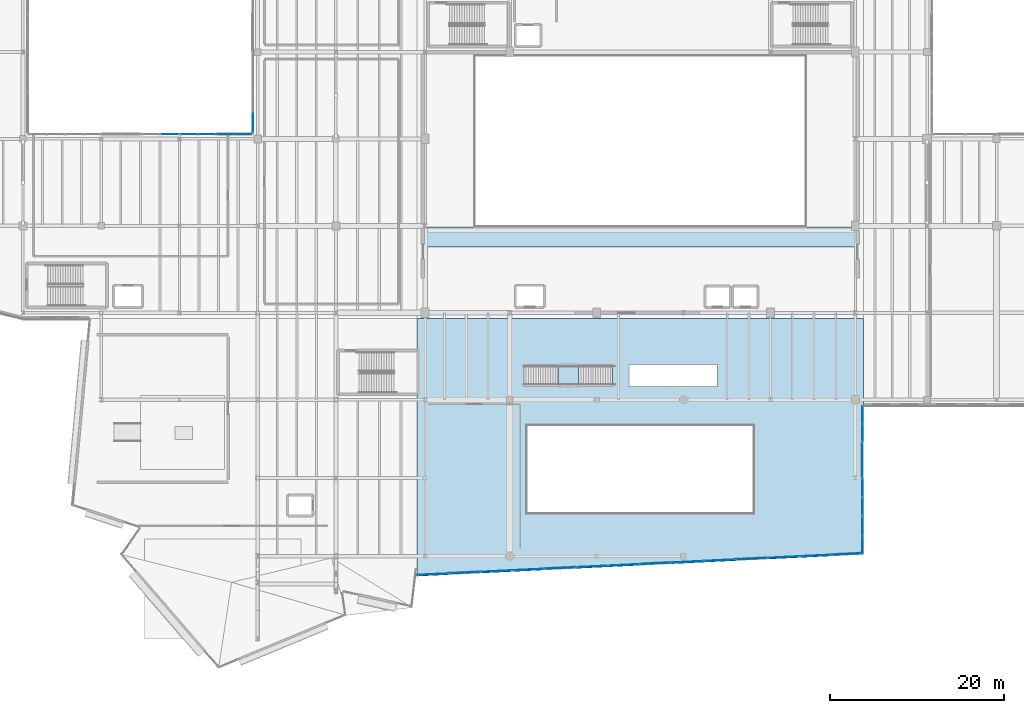
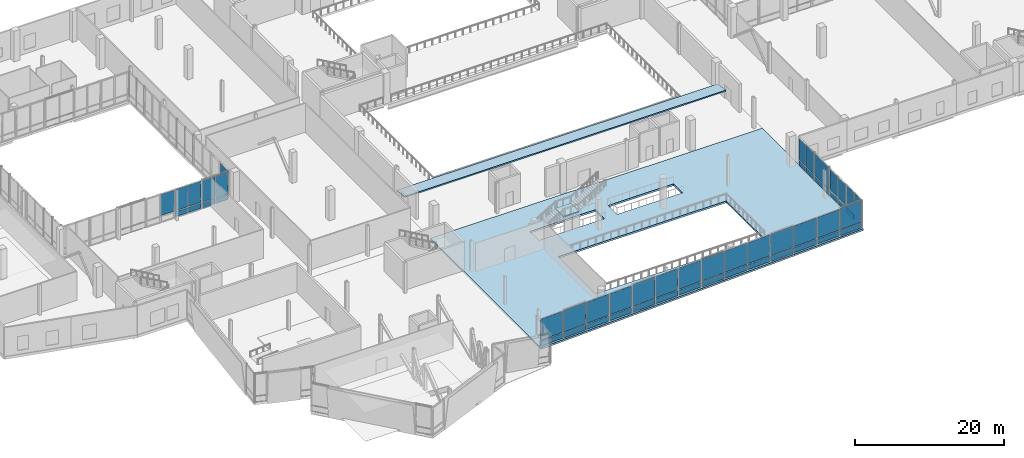
# One storey, part 47 of 73: 53 plates, 3 slabs, 23 elements without a shape of their own.
"""IFC4 building model written with IfcOpenShell, lengths in metres."""

from ifc_helpers import new_model, si_unit, direction, frame, origin, origin_2d, place, context, subcontext, project, spatial, polyline, rectangle, outline, extrude, material, layer, layer_set, type_object, element, aggregate, save


model = new_model("IFC4")

# Units and contexts
model_context = context("Model", 3, precision=1e-05, world=origin(), true_north=direction((0.0, 1.0)))
body_context = subcontext(model_context, "Body", "Model", "MODEL_VIEW")
ifc_project = project(units=[si_unit("LENGTHUNIT", "METRE"), si_unit("AREAUNIT", "SQUARE_METRE"), si_unit("VOLUMEUNIT", "CUBIC_METRE"), si_unit("PLANEANGLEUNIT", "RADIAN"), si_unit("MASSUNIT", "GRAM", prefix="KILO")], contexts=[model_context])

# Site, building, storey
site_placement = place(None, origin())
site = spatial("IfcSite", under=ifc_project, at=site_placement, CompositionType="ELEMENT")
building_placement = place(site_placement, origin())
building = spatial("IfcBuilding", under=site, at=building_placement, Name="Trimount Lyric Opera House", CompositionType="ELEMENT")
storey_placement = place(building_placement, frame((0.0, 0.0, 10.0)))
storey = spatial("IfcBuildingStorey", under=building, at=storey_placement, Name="L02", CompositionType="ELEMENT", Elevation=10.0)

# Curtain wall, plates
ifc_material_1 = material(Name="Thermally Broken Aluminium and Low-E Glass", Category="aluminium")
curtain_wall_type_1 = type_object("IfcCurtainWallType", Name="CW-01", PredefinedType="NOTDEFINED", material=ifc_material_1)
curtain_wall_1_placement = place(storey_placement, origin())
curtain_wall_1 = element("IfcCurtainWall", 1, at=curtain_wall_1_placement, inside=storey, type_object=curtain_wall_type_1, Name="L02 curtain wall 169", PredefinedType="NOTDEFINED")
ifc_material_2 = material(Name="Triple Low-E Acoustic Laminated Glass", Category="glass")
ifc_layer_1 = layer(ifc_material_2, 0.035888671875)
ifc_layer_set_1 = layer_set([ifc_layer_1], Name="CWP-01")
plate_type_1 = type_object("IfcPlateType", Name="CWP-01", PredefinedType="CURTAIN_PANEL", material=ifc_layer_set_1)
plate_1_placement = place(storey_placement, frame((114.5400390625, 42.263671875, 0.13525390625), z_axis=(0.0, 0.0, 1.0), x_axis=(0.0, -1.0, 0.0)))
plate_1 = element("IfcPlate", 2, at=plate_1_placement, type_object=plate_type_1, Name="CW-01 panel 1.1", PredefinedType="CURTAIN_PANEL", context=body_context, shape_type="SweptSolid", body=[
    extrude(rectangle(XDim=1.982421875, YDim=0.035888671875, at=origin_2d()), origin(), (0.0, 0.0, 1.0), 0.847412109375),
])
plate_2_placement = place(storey_placement, frame((114.5400390625, 40.21630859375, 0.13525390625), z_axis=(0.0, 0.0, 1.0), x_axis=(0.0, -1.0, 0.0)))
plate_2 = element("IfcPlate", 3, at=plate_2_placement, type_object=plate_type_1, Name="CW-01 panel 2.1", PredefinedType="CURTAIN_PANEL", context=body_context, shape_type="SweptSolid", body=[
    extrude(rectangle(XDim=1.982421875, YDim=0.035888671875, at=origin_2d()), origin(), (0.0, 0.0, 1.0), 0.847412109375),
])

# Curtain wall, plate
curtain_wall_2_placement = place(storey_placement, origin())
curtain_wall_2 = element("IfcCurtainWall", 4, at=curtain_wall_2_placement, inside=storey, type_object=curtain_wall_type_1, Name="L02 curtain wall 170", PredefinedType="NOTDEFINED")
plate_3_placement = place(storey_placement, frame((114.5400390625, 37.074951171875, 0.114990234375), z_axis=(0.0, 0.0, 1.0), x_axis=(0.0, -1.0, 0.0)))
plate_3 = element("IfcPlate", 5, at=plate_3_placement, type_object=plate_type_1, Name="CW-01 panel 1.1", PredefinedType="CURTAIN_PANEL", context=body_context, shape_type="SweptSolid", body=[
    extrude(rectangle(XDim=3.8701171875, YDim=0.035888671875, at=origin_2d()), origin(), (0.0, 0.0, 1.0), 0.87744140625),
])

# Curtain wall, plates
curtain_wall_3_placement = place(storey_placement, origin())
curtain_wall_3 = element("IfcCurtainWall", 6, at=curtain_wall_3_placement, inside=storey, type_object=curtain_wall_type_1, Name="L02 curtain wall 171", PredefinedType="NOTDEFINED")
plate_4_placement = place(storey_placement, frame((114.5400390625, 33.875, 0.159912109375), z_axis=(0.0, 0.0, 1.0), x_axis=(0.0, -1.0, 0.0)))
plate_4 = element("IfcPlate", 7, at=plate_4_placement, type_object=plate_type_1, Name="CW-01 panel 1.1", PredefinedType="CURTAIN_PANEL", context=body_context, shape_type="SweptSolid", body=[
    extrude(rectangle(XDim=2.090087890625, YDim=0.035888671875, at=origin_2d()), origin(), (0.0, 0.0, 1.0), 0.81005859375),
])
plate_5_placement = place(storey_placement, frame((114.5400390625, 31.715087890625, 0.159912109375), z_axis=(0.0, 0.0, 1.0), x_axis=(0.0, -1.0, 0.0)))
plate_5 = element("IfcPlate", 8, at=plate_5_placement, type_object=plate_type_1, Name="CW-01 panel 2.1", PredefinedType="CURTAIN_PANEL", context=body_context, shape_type="SweptSolid", body=[
    extrude(rectangle(XDim=2.090087890625, YDim=0.035888671875, at=origin_2d()), origin(), (0.0, 0.0, 1.0), 0.81005859375),
])

curtain_wall_4_placement = place(storey_placement, origin())
curtain_wall_4 = element("IfcCurtainWall", 9, at=curtain_wall_4_placement, inside=storey, type_object=curtain_wall_type_1, Name="L02 curtain wall 172", PredefinedType="NOTDEFINED")
plate_6_placement = place(storey_placement, frame((114.5400390625, 29.416259765625, 0.13525390625), z_axis=(0.0, 0.0, 1.0), x_axis=(0.0, -1.0, 0.0)))
plate_6 = element("IfcPlate", 10, at=plate_6_placement, type_object=plate_type_1, Name="CW-01 panel 1.1", PredefinedType="CURTAIN_PANEL", context=body_context, shape_type="SweptSolid", body=[
    extrude(rectangle(XDim=2.0576171875, YDim=0.035888671875, at=origin_2d()), origin(), (0.0, 0.0, 1.0), 0.847412109375),
])
plate_7_placement = place(storey_placement, frame((114.5400390625, 27.293701171875, 0.13525390625), z_axis=(0.0, 0.0, 1.0), x_axis=(0.0, -1.0, 0.0)))
plate_7 = element("IfcPlate", 11, at=plate_7_placement, type_object=plate_type_1, Name="CW-01 panel 2.1", PredefinedType="CURTAIN_PANEL", context=body_context, shape_type="SweptSolid", body=[
    extrude(rectangle(XDim=2.0576171875, YDim=0.035888671875, at=origin_2d()), origin(), (0.0, 0.0, 1.0), 0.847412109375),
])

# Curtain wall, plate
curtain_wall_5_placement = place(storey_placement, origin())
curtain_wall_5 = element("IfcCurtainWall", 12, at=curtain_wall_5_placement, inside=storey, type_object=curtain_wall_type_1, Name="L02 curtain wall 173", PredefinedType="NOTDEFINED")
plate_8_placement = place(storey_placement, frame((112.7275390625, 26.2451171875, 0.114990234375), z_axis=(0.0, 0.0, 1.0), x_axis=(-0.998813039289, -0.048708444302, 0.0)))
plate_8 = element("IfcPlate", 13, at=plate_8_placement, type_object=plate_type_1, Name="CW-01 panel 1.1", PredefinedType="CURTAIN_PANEL", context=body_context, shape_type="SweptSolid", body=[
    extrude(rectangle(XDim=3.3291015625, YDim=0.035888671875, at=origin_2d()), origin(), (0.0, 0.0, 1.0), 0.87744140625),
])

curtain_wall_6_placement = place(storey_placement, origin())
curtain_wall_6 = element("IfcCurtainWall", 14, at=curtain_wall_6_placement, inside=storey, type_object=curtain_wall_type_1, Name="L02 curtain wall 174", PredefinedType="NOTDEFINED")
plate_9_placement = place(storey_placement, frame((109.12548828125, 26.069091796875, 0.159912109375), z_axis=(0.0, 0.0, 1.0), x_axis=(-0.998820287826, -0.04855957812, 0.0)))
plate_9 = element("IfcPlate", 15, at=plate_9_placement, type_object=plate_type_1, Name="CW-01 panel 1.1", PredefinedType="CURTAIN_PANEL", context=body_context, shape_type="SweptSolid", body=[
    extrude(rectangle(XDim=3.443115234375, YDim=0.035888671875, at=origin_2d()), origin(), (0.0, 0.0, 1.0), 0.81005859375),
])

curtain_wall_7_placement = place(storey_placement, origin())
curtain_wall_7 = element("IfcCurtainWall", 16, at=curtain_wall_7_placement, inside=storey, type_object=curtain_wall_type_1, Name="L02 curtain wall 175", PredefinedType="NOTDEFINED")
plate_10_placement = place(storey_placement, frame((105.45654296875, 25.889892578125, 0.13525390625), z_axis=(0.0, 0.0, 1.0), x_axis=(-0.998820287826, -0.04855957812, 0.0)))
plate_10 = element("IfcPlate", 17, at=plate_10_placement, type_object=plate_type_1, Name="CW-01 panel 1.1", PredefinedType="CURTAIN_PANEL", context=body_context, shape_type="SweptSolid", body=[
    extrude(rectangle(XDim=3.453125, YDim=0.035888671875, at=origin_2d()), origin(), (0.0, 0.0, 1.0), 0.847412109375),
])

curtain_wall_8_placement = place(storey_placement, origin())
curtain_wall_8 = element("IfcCurtainWall", 18, at=curtain_wall_8_placement, inside=storey, type_object=curtain_wall_type_1, Name="L02 curtain wall 176", PredefinedType="NOTDEFINED")
plate_11_placement = place(storey_placement, frame((101.7880859375, 25.7109375, 0.114990234375), z_axis=(0.0, 0.0, 1.0), x_axis=(-0.998819629475, -0.048573117817, 0.0)))
plate_11 = element("IfcPlate", 19, at=plate_11_placement, type_object=plate_type_1, Name="CW-01 panel 1.1", PredefinedType="CURTAIN_PANEL", context=body_context, shape_type="SweptSolid", body=[
    extrude(rectangle(XDim=3.462158203125, YDim=0.035888671875, at=origin_2d()), origin(), (0.0, 0.0, 1.0), 0.87744140625),
])

curtain_wall_9_placement = place(storey_placement, origin())
curtain_wall_9 = element("IfcCurtainWall", 20, at=curtain_wall_9_placement, inside=storey, type_object=curtain_wall_type_1, Name="L02 curtain wall 177", PredefinedType="NOTDEFINED")
plate_12_placement = place(storey_placement, frame((98.119384765625, 25.531982421875, 0.159912109375), z_axis=(0.0, 0.0, 1.0), x_axis=(-0.998820287826, -0.04855957812, 0.0)))
plate_12 = element("IfcPlate", 21, at=plate_12_placement, type_object=plate_type_1, Name="CW-01 panel 1.1", PredefinedType="CURTAIN_PANEL", context=body_context, shape_type="SweptSolid", body=[
    extrude(rectangle(XDim=3.443115234375, YDim=0.035888671875, at=origin_2d()), origin(), (0.0, 0.0, 1.0), 0.81005859375),
])

curtain_wall_10_placement = place(storey_placement, origin())
curtain_wall_10 = element("IfcCurtainWall", 22, at=curtain_wall_10_placement, inside=storey, type_object=curtain_wall_type_1, Name="L02 curtain wall 178", PredefinedType="NOTDEFINED")
plate_13_placement = place(storey_placement, frame((94.450927734375, 25.35302734375, 0.13525390625), z_axis=(0.0, 0.0, 1.0), x_axis=(-0.998819629475, -0.048573117817, 0.0)))
plate_13 = element("IfcPlate", 23, at=plate_13_placement, type_object=plate_type_1, Name="CW-01 panel 1.1", PredefinedType="CURTAIN_PANEL", context=body_context, shape_type="SweptSolid", body=[
    extrude(rectangle(XDim=3.4521484375, YDim=0.035888671875, at=origin_2d()), origin(), (0.0, 0.0, 1.0), 0.847412109375),
])

curtain_wall_11_placement = place(storey_placement, origin())
curtain_wall_11 = element("IfcCurtainWall", 24, at=curtain_wall_11_placement, inside=storey, type_object=curtain_wall_type_1, Name="L02 curtain wall 179", PredefinedType="NOTDEFINED")
plate_14_placement = place(storey_placement, frame((90.782470703125, 25.174072265625, 0.114990234375), z_axis=(0.0, 0.0, 1.0), x_axis=(-0.998820287826, -0.04855957812, 0.0)))
plate_14 = element("IfcPlate", 25, at=plate_14_placement, type_object=plate_type_1, Name="CW-01 panel 1.1", PredefinedType="CURTAIN_PANEL", context=body_context, shape_type="SweptSolid", body=[
    extrude(rectangle(XDim=3.463134765625, YDim=0.035888671875, at=origin_2d()), origin(), (0.0, 0.0, 1.0), 0.87744140625),
])

curtain_wall_12_placement = place(storey_placement, origin())
curtain_wall_12 = element("IfcCurtainWall", 26, at=curtain_wall_12_placement, inside=storey, type_object=curtain_wall_type_1, Name="L02 curtain wall 180", PredefinedType="NOTDEFINED")
plate_15_placement = place(storey_placement, frame((87.114013671875, 24.9951171875, 0.159912109375), z_axis=(0.0, 0.0, 1.0), x_axis=(-0.998819629475, -0.048573117817, 0.0)))
plate_15 = element("IfcPlate", 27, at=plate_15_placement, type_object=plate_type_1, Name="CW-01 panel 1.1", PredefinedType="CURTAIN_PANEL", context=body_context, shape_type="SweptSolid", body=[
    extrude(rectangle(XDim=3.442138671875, YDim=0.035888671875, at=origin_2d()), origin(), (0.0, 0.0, 1.0), 0.81005859375),
])

curtain_wall_13_placement = place(storey_placement, origin())
curtain_wall_13 = element("IfcCurtainWall", 28, at=curtain_wall_13_placement, inside=storey, type_object=curtain_wall_type_1, Name="L02 curtain wall 181", PredefinedType="NOTDEFINED")
plate_16_placement = place(storey_placement, frame((83.445556640625, 24.81591796875, 0.13525390625), z_axis=(0.0, 0.0, 1.0), x_axis=(-0.998820287826, -0.04855957812, 0.0)))
plate_16 = element("IfcPlate", 29, at=plate_16_placement, type_object=plate_type_1, Name="CW-01 panel 1.1", PredefinedType="CURTAIN_PANEL", context=body_context, shape_type="SweptSolid", body=[
    extrude(rectangle(XDim=3.453125, YDim=0.035888671875, at=origin_2d()), origin(), (0.0, 0.0, 1.0), 0.847412109375),
])

curtain_wall_14_placement = place(storey_placement, origin())
curtain_wall_14 = element("IfcCurtainWall", 30, at=curtain_wall_14_placement, inside=storey, type_object=curtain_wall_type_1, Name="L02 curtain wall 182", PredefinedType="NOTDEFINED")
plate_17_placement = place(storey_placement, frame((79.776611328125, 24.636962890625, 0.114990234375), z_axis=(0.0, 0.0, 1.0), x_axis=(-0.998820287826, -0.04855957812, 0.0)))
plate_17 = element("IfcPlate", 31, at=plate_17_placement, type_object=plate_type_1, Name="CW-01 panel 1.1", PredefinedType="CURTAIN_PANEL", context=body_context, shape_type="SweptSolid", body=[
    extrude(rectangle(XDim=3.463134765625, YDim=0.035888671875, at=origin_2d()), origin(), (0.0, 0.0, 1.0), 0.87744140625),
])

curtain_wall_15_placement = place(storey_placement, origin())
curtain_wall_15 = element("IfcCurtainWall", 32, at=curtain_wall_15_placement, inside=storey, type_object=curtain_wall_type_1, Name="L02 curtain wall 183", PredefinedType="NOTDEFINED")
plate_18_placement = place(storey_placement, frame((76.10791015625, 24.4580078125, 0.159912109375), z_axis=(0.0, 0.0, 1.0), x_axis=(-0.998819629475, -0.048573117817, 0.0)))
plate_18 = element("IfcPlate", 33, at=plate_18_placement, type_object=plate_type_1, Name="CW-01 panel 1.1", PredefinedType="CURTAIN_PANEL", context=body_context, shape_type="SweptSolid", body=[
    extrude(rectangle(XDim=3.442138671875, YDim=0.035888671875, at=origin_2d()), origin(), (0.0, 0.0, 1.0), 0.81005859375),
])

curtain_wall_16_placement = place(storey_placement, origin())
curtain_wall_16 = element("IfcCurtainWall", 34, at=curtain_wall_16_placement, inside=storey, type_object=curtain_wall_type_1, Name="L02 curtain wall 184", PredefinedType="NOTDEFINED")
plate_19_placement = place(storey_placement, frame((72.439453125, 24.279052734375, 0.13525390625), z_axis=(0.0, 0.0, 1.0), x_axis=(-0.998820287826, -0.04855957812, 0.0)))
plate_19 = element("IfcPlate", 35, at=plate_19_placement, type_object=plate_type_1, Name="CW-01 panel 1.1", PredefinedType="CURTAIN_PANEL", context=body_context, shape_type="SweptSolid", body=[
    extrude(rectangle(XDim=3.453125, YDim=0.035888671875, at=origin_2d()), origin(), (0.0, 0.0, 1.0), 0.847412109375),
])

curtain_wall_17_placement = place(storey_placement, origin())
curtain_wall_17 = element("IfcCurtainWall", 36, at=curtain_wall_17_placement, inside=storey, type_object=curtain_wall_type_1, Name="L02 curtain wall 185", PredefinedType="NOTDEFINED")
plate_20_placement = place(storey_placement, frame((68.77099609375, 24.10009765625, 0.114990234375), z_axis=(0.0, 0.0, 1.0), x_axis=(-0.998819629475, -0.048573117817, 0.0)))
plate_20 = element("IfcPlate", 37, at=plate_20_placement, type_object=plate_type_1, Name="CW-01 panel 1.1", PredefinedType="CURTAIN_PANEL", context=body_context, shape_type="SweptSolid", body=[
    extrude(rectangle(XDim=3.462158203125, YDim=0.035888671875, at=origin_2d()), origin(), (0.0, 0.0, 1.0), 0.87744140625),
])

curtain_wall_18_placement = place(storey_placement, origin())
curtain_wall_18 = element("IfcCurtainWall", 38, at=curtain_wall_18_placement, inside=storey, type_object=curtain_wall_type_1, Name="L02 curtain wall 186", PredefinedType="NOTDEFINED")
plate_21_placement = place(storey_placement, frame((65.1025390625, 23.9208984375, 0.159912109375), z_axis=(0.0, 0.0, 1.0), x_axis=(-0.998820287826, -0.04855957812, 0.0)))
plate_21 = element("IfcPlate", 39, at=plate_21_placement, type_object=plate_type_1, Name="CW-01 panel 1.1", PredefinedType="CURTAIN_PANEL", context=body_context, shape_type="SweptSolid", body=[
    extrude(rectangle(XDim=3.443115234375, YDim=0.035888671875, at=origin_2d()), origin(), (0.0, 0.0, 1.0), 0.81005859375),
])

# Curtain wall, plates
ifc_material_3 = material(Name="Thermally Broken Aluminium and Low-E Glass", Category="aluminium")
curtain_wall_type_2 = type_object("IfcCurtainWallType", Name="CW-03", PredefinedType="NOTDEFINED", material=ifc_material_3)
curtain_wall_19_placement = place(storey_placement, origin())
curtain_wall_19 = element("IfcCurtainWall", 40, at=curtain_wall_19_placement, inside=storey, type_object=curtain_wall_type_2, Name="L02 curtain wall 202", PredefinedType="NOTDEFINED")
plate_22_placement = place(storey_placement, frame((37.123779296875, 74.5400390625, 0.13525390625), z_axis=(0.0, 0.0, 1.0), x_axis=(1.0, 0.0, 0.0)))
plate_22 = element("IfcPlate", 41, at=plate_22_placement, type_object=plate_type_1, Name="CW-03 panel 1.1", PredefinedType="CURTAIN_PANEL", context=body_context, shape_type="SweptSolid", body=[
    extrude(rectangle(XDim=1.9375, YDim=0.035888671875, at=origin_2d()), origin(), (0.0, 0.0, 1.0), 0.847412109375),
])
plate_23_placement = place(storey_placement, frame((39.126220703125, 74.5400390625, 0.13525390625), z_axis=(0.0, 0.0, 1.0), x_axis=(1.0, 0.0, 0.0)))
plate_23 = element("IfcPlate", 42, at=plate_23_placement, type_object=plate_type_1, Name="CW-03 panel 2.1", PredefinedType="CURTAIN_PANEL", context=body_context, shape_type="SweptSolid", body=[
    extrude(rectangle(XDim=1.9375, YDim=0.035888671875, at=origin_2d()), origin(), (0.0, 0.0, 1.0), 0.847412109375),
])

curtain_wall_20_placement = place(storey_placement, origin())
curtain_wall_20 = element("IfcCurtainWall", 43, at=curtain_wall_20_placement, inside=storey, type_object=curtain_wall_type_2, Name="L02 curtain wall 203", PredefinedType="NOTDEFINED")
plate_24_placement = place(storey_placement, frame((41.282470703125, 74.5400390625, 0.114990234375), z_axis=(0.0, 0.0, 1.0), x_axis=(1.0, 0.0, 0.0)))
plate_24 = element("IfcPlate", 44, at=plate_24_placement, type_object=plate_type_1, Name="CW-03 panel 1.1", PredefinedType="CURTAIN_PANEL", context=body_context, shape_type="SweptSolid", body=[
    extrude(rectangle(XDim=1.945068359375, YDim=0.035888671875, at=origin_2d()), origin(), (0.0, 0.0, 1.0), 0.87744140625),
])
plate_25_placement = place(storey_placement, frame((43.28759765625, 74.5400390625, 0.114990234375), z_axis=(0.0, 0.0, 1.0), x_axis=(1.0, 0.0, 0.0)))
plate_25 = element("IfcPlate", 45, at=plate_25_placement, type_object=plate_type_1, Name="CW-03 panel 2.1", PredefinedType="CURTAIN_PANEL", context=body_context, shape_type="SweptSolid", body=[
    extrude(rectangle(XDim=1.945068359375, YDim=0.035888671875, at=origin_2d()), origin(), (0.0, 0.0, 1.0), 0.87744140625),
])

# Curtain wall, plate
curtain_wall_21_placement = place(storey_placement, origin())
curtain_wall_21 = element("IfcCurtainWall", 46, at=curtain_wall_21_placement, inside=storey, type_object=curtain_wall_type_2, Name="L02 curtain wall 204", PredefinedType="NOTDEFINED")
plate_26_placement = place(storey_placement, frame((44.4599609375, 75.862548828125, 0.159912109375), z_axis=(0.0, 0.0, 1.0), x_axis=(0.0, 1.0, 0.0)))
plate_26 = element("IfcPlate", 47, at=plate_26_placement, type_object=plate_type_1, Name="CW-03 panel 1.1", PredefinedType="CURTAIN_PANEL", context=body_context, shape_type="SweptSolid", body=[
    extrude(rectangle(XDim=2.22509765625, YDim=0.035888671875, at=origin_2d()), origin(), (0.0, 0.0, 1.0), 0.81005859375),
])

# Plate
ifc_material_4 = material(Name="Insulated Aluminium Shadow-Box Spandrel Panel", Category="aluminium")
ifc_layer_2 = layer(ifc_material_4, 0.0419921875)
ifc_layer_set_2 = layer_set([ifc_layer_2], Name="CWP-04")
plate_type_2 = type_object("IfcPlateType", Name="CWP-04", PredefinedType="CURTAIN_PANEL", material=ifc_layer_set_2)
plate_27_placement = place(storey_placement, frame((114.5400390625, 42.263671875, 1.11767578125), z_axis=(0.0, 0.0, 1.0), x_axis=(0.0, -1.0, 0.0)))
plate_27 = element("IfcPlate", 48, at=plate_27_placement, type_object=plate_type_2, Name="CW-01 panel 1.2", PredefinedType="CURTAIN_PANEL", context=body_context, shape_type="SweptSolid", body=[
    extrude(rectangle(XDim=1.982421875, YDim=0.035888671875, at=origin_2d()), origin(), (0.0, 0.0, 1.0), 3.467529296875),
])

plate_28_placement = place(storey_placement, frame((114.5400390625, 40.21630859375, 1.11767578125), z_axis=(0.0, 0.0, 1.0), x_axis=(0.0, -1.0, 0.0)))
plate_28 = element("IfcPlate", 49, at=plate_28_placement, type_object=plate_type_2, Name="CW-01 panel 2.2", PredefinedType="CURTAIN_PANEL", context=body_context, shape_type="SweptSolid", body=[
    extrude(rectangle(XDim=1.982421875, YDim=0.035888671875, at=origin_2d()), origin(), (0.0, 0.0, 1.0), 3.467529296875),
])

aggregate(curtain_wall_1, [plate_1, plate_27, plate_2, plate_28])

plate_29_placement = place(storey_placement, frame((114.5400390625, 37.074951171875, 1.107421875), z_axis=(0.0, 0.0, 1.0), x_axis=(0.0, -1.0, 0.0)))
plate_29 = element("IfcPlate", 50, at=plate_29_placement, type_object=plate_type_2, Name="CW-01 panel 1.2", PredefinedType="CURTAIN_PANEL", context=body_context, shape_type="SweptSolid", body=[
    extrude(rectangle(XDim=3.8701171875, YDim=0.035888671875, at=origin_2d()), origin(), (0.0, 0.0, 1.0), 3.49755859375),
])

aggregate(curtain_wall_2, [plate_3, plate_29])

plate_30_placement = place(storey_placement, frame((114.5400390625, 33.875, 1.1298828125), z_axis=(0.0, 0.0, 1.0), x_axis=(0.0, -1.0, 0.0)))
plate_30 = element("IfcPlate", 51, at=plate_30_placement, type_object=plate_type_2, Name="CW-01 panel 1.2", PredefinedType="CURTAIN_PANEL", context=body_context, shape_type="SweptSolid", body=[
    extrude(rectangle(XDim=2.090087890625, YDim=0.035888671875, at=origin_2d()), origin(), (0.0, 0.0, 1.0), 3.429931640625),
])

plate_31_placement = place(storey_placement, frame((114.5400390625, 31.715087890625, 1.1298828125), z_axis=(0.0, 0.0, 1.0), x_axis=(0.0, -1.0, 0.0)))
plate_31 = element("IfcPlate", 52, at=plate_31_placement, type_object=plate_type_2, Name="CW-01 panel 2.2", PredefinedType="CURTAIN_PANEL", context=body_context, shape_type="SweptSolid", body=[
    extrude(rectangle(XDim=2.090087890625, YDim=0.035888671875, at=origin_2d()), origin(), (0.0, 0.0, 1.0), 3.429931640625),
])

aggregate(curtain_wall_3, [plate_4, plate_30, plate_5, plate_31])

plate_32_placement = place(storey_placement, frame((114.5400390625, 29.416259765625, 1.11767578125), z_axis=(0.0, 0.0, 1.0), x_axis=(0.0, -1.0, 0.0)))
plate_32 = element("IfcPlate", 53, at=plate_32_placement, type_object=plate_type_2, Name="CW-01 panel 1.2", PredefinedType="CURTAIN_PANEL", context=body_context, shape_type="SweptSolid", body=[
    extrude(rectangle(XDim=2.0576171875, YDim=0.035888671875, at=origin_2d()), origin(), (0.0, 0.0, 1.0), 3.467529296875),
])

plate_33_placement = place(storey_placement, frame((114.5400390625, 27.293701171875, 1.11767578125), z_axis=(0.0, 0.0, 1.0), x_axis=(0.0, -1.0, 0.0)))
plate_33 = element("IfcPlate", 54, at=plate_33_placement, type_object=plate_type_2, Name="CW-01 panel 2.2", PredefinedType="CURTAIN_PANEL", context=body_context, shape_type="SweptSolid", body=[
    extrude(rectangle(XDim=2.0576171875, YDim=0.035888671875, at=origin_2d()), origin(), (0.0, 0.0, 1.0), 3.467529296875),
])

aggregate(curtain_wall_4, [plate_6, plate_32, plate_7, plate_33])

plate_34_placement = place(storey_placement, frame((112.7275390625, 26.2451171875, 1.107421875), z_axis=(0.0, 0.0, 1.0), x_axis=(-0.998813039289, -0.048708444302, 0.0)))
plate_34 = element("IfcPlate", 55, at=plate_34_placement, type_object=plate_type_2, Name="CW-01 panel 1.2", PredefinedType="CURTAIN_PANEL", context=body_context, shape_type="SweptSolid", body=[
    extrude(rectangle(XDim=3.3291015625, YDim=0.035888671875, at=origin_2d()), origin(), (0.0, 0.0, 1.0), 3.427490234375),
])

aggregate(curtain_wall_5, [plate_8, plate_34])

plate_35_placement = place(storey_placement, frame((109.12548828125, 26.069091796875, 1.1298828125), z_axis=(0.0, 0.0, 1.0), x_axis=(-0.998820287826, -0.04855957812, 0.0)))
plate_35 = element("IfcPlate", 56, at=plate_35_placement, type_object=plate_type_2, Name="CW-01 panel 1.2", PredefinedType="CURTAIN_PANEL", context=body_context, shape_type="SweptSolid", body=[
    extrude(rectangle(XDim=3.443115234375, YDim=0.035888671875, at=origin_2d()), origin(), (0.0, 0.0, 1.0), 3.360107421875),
])

aggregate(curtain_wall_6, [plate_9, plate_35])

plate_36_placement = place(storey_placement, frame((105.45654296875, 25.889892578125, 1.117431640625), z_axis=(0.0, 0.0, 1.0), x_axis=(-0.998820287826, -0.04855957812, 0.0)))
plate_36 = element("IfcPlate", 57, at=plate_36_placement, type_object=plate_type_2, Name="CW-01 panel 1.2", PredefinedType="CURTAIN_PANEL", context=body_context, shape_type="SweptSolid", body=[
    extrude(rectangle(XDim=3.453125, YDim=0.035888671875, at=origin_2d()), origin(), (0.0, 0.0, 1.0), 3.3974609375),
])

aggregate(curtain_wall_7, [plate_10, plate_36])

plate_37_placement = place(storey_placement, frame((101.7880859375, 25.7109375, 1.107421875), z_axis=(0.0, 0.0, 1.0), x_axis=(-0.998819629475, -0.048573117817, 0.0)))
plate_37 = element("IfcPlate", 58, at=plate_37_placement, type_object=plate_type_2, Name="CW-01 panel 1.2", PredefinedType="CURTAIN_PANEL", context=body_context, shape_type="SweptSolid", body=[
    extrude(rectangle(XDim=3.462158203125, YDim=0.035888671875, at=origin_2d()), origin(), (0.0, 0.0, 1.0), 3.427490234375),
])

aggregate(curtain_wall_8, [plate_11, plate_37])

plate_38_placement = place(storey_placement, frame((98.119384765625, 25.531982421875, 1.1298828125), z_axis=(0.0, 0.0, 1.0), x_axis=(-0.998820287826, -0.04855957812, 0.0)))
plate_38 = element("IfcPlate", 59, at=plate_38_placement, type_object=plate_type_2, Name="CW-01 panel 1.2", PredefinedType="CURTAIN_PANEL", context=body_context, shape_type="SweptSolid", body=[
    extrude(rectangle(XDim=3.443115234375, YDim=0.035888671875, at=origin_2d()), origin(), (0.0, 0.0, 1.0), 3.429931640625),
])

aggregate(curtain_wall_9, [plate_12, plate_38])

plate_39_placement = place(storey_placement, frame((94.450927734375, 25.35302734375, 1.11767578125), z_axis=(0.0, 0.0, 1.0), x_axis=(-0.998819629475, -0.048573117817, 0.0)))
plate_39 = element("IfcPlate", 60, at=plate_39_placement, type_object=plate_type_2, Name="CW-01 panel 1.2", PredefinedType="CURTAIN_PANEL", context=body_context, shape_type="SweptSolid", body=[
    extrude(rectangle(XDim=3.4521484375, YDim=0.035888671875, at=origin_2d()), origin(), (0.0, 0.0, 1.0), 3.467529296875),
])

aggregate(curtain_wall_10, [plate_13, plate_39])

plate_40_placement = place(storey_placement, frame((90.782470703125, 25.174072265625, 1.107421875), z_axis=(0.0, 0.0, 1.0), x_axis=(-0.998820287826, -0.04855957812, 0.0)))
plate_40 = element("IfcPlate", 61, at=plate_40_placement, type_object=plate_type_2, Name="CW-01 panel 1.2", PredefinedType="CURTAIN_PANEL", context=body_context, shape_type="SweptSolid", body=[
    extrude(rectangle(XDim=3.463134765625, YDim=0.035888671875, at=origin_2d()), origin(), (0.0, 0.0, 1.0), 3.49755859375),
])

aggregate(curtain_wall_11, [plate_14, plate_40])

plate_41_placement = place(storey_placement, frame((87.114013671875, 24.9951171875, 1.1298828125), z_axis=(0.0, 0.0, 1.0), x_axis=(-0.998819629475, -0.048573117817, 0.0)))
plate_41 = element("IfcPlate", 62, at=plate_41_placement, type_object=plate_type_2, Name="CW-01 panel 1.2", PredefinedType="CURTAIN_PANEL", context=body_context, shape_type="SweptSolid", body=[
    extrude(rectangle(XDim=3.442138671875, YDim=0.035888671875, at=origin_2d()), origin(), (0.0, 0.0, 1.0), 3.429931640625),
])

aggregate(curtain_wall_12, [plate_15, plate_41])

plate_42_placement = place(storey_placement, frame((83.445556640625, 24.81591796875, 1.11767578125), z_axis=(0.0, 0.0, 1.0), x_axis=(-0.998820287826, -0.04855957812, 0.0)))
plate_42 = element("IfcPlate", 63, at=plate_42_placement, type_object=plate_type_2, Name="CW-01 panel 1.2", PredefinedType="CURTAIN_PANEL", context=body_context, shape_type="SweptSolid", body=[
    extrude(rectangle(XDim=3.453125, YDim=0.035888671875, at=origin_2d()), origin(), (0.0, 0.0, 1.0), 3.467529296875),
])

aggregate(curtain_wall_13, [plate_16, plate_42])

plate_43_placement = place(storey_placement, frame((79.776611328125, 24.636962890625, 1.107421875), z_axis=(0.0, 0.0, 1.0), x_axis=(-0.998820287826, -0.04855957812, 0.0)))
plate_43 = element("IfcPlate", 64, at=plate_43_placement, type_object=plate_type_2, Name="CW-01 panel 1.2", PredefinedType="CURTAIN_PANEL", context=body_context, shape_type="SweptSolid", body=[
    extrude(rectangle(XDim=3.463134765625, YDim=0.035888671875, at=origin_2d()), origin(), (0.0, 0.0, 1.0), 3.49755859375),
])

aggregate(curtain_wall_14, [plate_17, plate_43])

plate_44_placement = place(storey_placement, frame((76.10791015625, 24.4580078125, 1.1298828125), z_axis=(0.0, 0.0, 1.0), x_axis=(-0.998819629475, -0.048573117817, 0.0)))
plate_44 = element("IfcPlate", 65, at=plate_44_placement, type_object=plate_type_2, Name="CW-01 panel 1.2", PredefinedType="CURTAIN_PANEL", context=body_context, shape_type="SweptSolid", body=[
    extrude(rectangle(XDim=3.442138671875, YDim=0.035888671875, at=origin_2d()), origin(), (0.0, 0.0, 1.0), 3.429931640625),
])

aggregate(curtain_wall_15, [plate_18, plate_44])

plate_45_placement = place(storey_placement, frame((72.439453125, 24.279052734375, 1.11767578125), z_axis=(0.0, 0.0, 1.0), x_axis=(-0.998820287826, -0.04855957812, 0.0)))
plate_45 = element("IfcPlate", 66, at=plate_45_placement, type_object=plate_type_2, Name="CW-01 panel 1.2", PredefinedType="CURTAIN_PANEL", context=body_context, shape_type="SweptSolid", body=[
    extrude(rectangle(XDim=3.453125, YDim=0.035888671875, at=origin_2d()), origin(), (0.0, 0.0, 1.0), 3.467529296875),
])

aggregate(curtain_wall_16, [plate_19, plate_45])

plate_46_placement = place(storey_placement, frame((68.77099609375, 24.10009765625, 1.107421875), z_axis=(0.0, 0.0, 1.0), x_axis=(-0.998819629475, -0.048573117817, 0.0)))
plate_46 = element("IfcPlate", 67, at=plate_46_placement, type_object=plate_type_2, Name="CW-01 panel 1.2", PredefinedType="CURTAIN_PANEL", context=body_context, shape_type="SweptSolid", body=[
    extrude(rectangle(XDim=3.462158203125, YDim=0.035888671875, at=origin_2d()), origin(), (0.0, 0.0, 1.0), 3.49755859375),
])

aggregate(curtain_wall_17, [plate_20, plate_46])

plate_47_placement = place(storey_placement, frame((65.1025390625, 23.9208984375, 1.1298828125), z_axis=(0.0, 0.0, 1.0), x_axis=(-0.998820287826, -0.04855957812, 0.0)))
plate_47 = element("IfcPlate", 68, at=plate_47_placement, type_object=plate_type_2, Name="CW-01 panel 1.2", PredefinedType="CURTAIN_PANEL", context=body_context, shape_type="SweptSolid", body=[
    extrude(rectangle(XDim=3.443115234375, YDim=0.035888671875, at=origin_2d()), origin(), (0.0, 0.0, 1.0), 3.429931640625),
])

aggregate(curtain_wall_18, [plate_21, plate_47])

# Curtain wall, plate
curtain_wall_22_placement = place(storey_placement, origin())
curtain_wall_22 = element("IfcCurtainWall", 69, at=curtain_wall_22_placement, inside=storey, type_object=curtain_wall_type_2, Name="L02 curtain wall 201", PredefinedType="NOTDEFINED")
plate_48_placement = place(storey_placement, frame((34.8798828125, 74.5400390625, 1.1298828125), z_axis=(0.0, 0.0, 1.0), x_axis=(1.0, 0.0, 0.0)))
plate_48 = element("IfcPlate", 70, at=plate_48_placement, type_object=plate_type_2, Name="CW-03 panel 2.2", PredefinedType="CURTAIN_PANEL", context=body_context, shape_type="SweptSolid", body=[
    extrude(rectangle(XDim=2.10009765625, YDim=0.035888671875, at=origin_2d()), origin(), (0.0, 0.0, 1.0), 3.429931640625),
])
aggregate(curtain_wall_22, [plate_48])

# Plate
plate_49_placement = place(storey_placement, frame((37.123779296875, 74.5400390625, 1.11767578125), z_axis=(0.0, 0.0, 1.0), x_axis=(1.0, 0.0, 0.0)))
plate_49 = element("IfcPlate", 71, at=plate_49_placement, type_object=plate_type_2, Name="CW-03 panel 1.2", PredefinedType="CURTAIN_PANEL", context=body_context, shape_type="SweptSolid", body=[
    extrude(rectangle(XDim=1.9375, YDim=0.035888671875, at=origin_2d()), origin(), (0.0, 0.0, 1.0), 3.467529296875),
])

plate_50_placement = place(storey_placement, frame((39.126220703125, 74.5400390625, 1.11767578125), z_axis=(0.0, 0.0, 1.0), x_axis=(1.0, 0.0, 0.0)))
plate_50 = element("IfcPlate", 72, at=plate_50_placement, type_object=plate_type_2, Name="CW-03 panel 2.2", PredefinedType="CURTAIN_PANEL", context=body_context, shape_type="SweptSolid", body=[
    extrude(rectangle(XDim=1.9375, YDim=0.035888671875, at=origin_2d()), origin(), (0.0, 0.0, 1.0), 3.467529296875),
])

aggregate(curtain_wall_19, [plate_22, plate_49, plate_23, plate_50])

plate_51_placement = place(storey_placement, frame((41.282470703125, 74.5400390625, 1.107421875), z_axis=(0.0, 0.0, 1.0), x_axis=(1.0, 0.0, 0.0)))
plate_51 = element("IfcPlate", 73, at=plate_51_placement, type_object=plate_type_2, Name="CW-03 panel 1.2", PredefinedType="CURTAIN_PANEL", context=body_context, shape_type="SweptSolid", body=[
    extrude(rectangle(XDim=1.945068359375, YDim=0.035888671875, at=origin_2d()), origin(), (0.0, 0.0, 1.0), 3.49755859375),
])

plate_52_placement = place(storey_placement, frame((43.28759765625, 74.5400390625, 1.107421875), z_axis=(0.0, 0.0, 1.0), x_axis=(1.0, 0.0, 0.0)))
plate_52 = element("IfcPlate", 74, at=plate_52_placement, type_object=plate_type_2, Name="CW-03 panel 2.2", PredefinedType="CURTAIN_PANEL", context=body_context, shape_type="SweptSolid", body=[
    extrude(rectangle(XDim=1.945068359375, YDim=0.035888671875, at=origin_2d()), origin(), (0.0, 0.0, 1.0), 3.49755859375),
])

aggregate(curtain_wall_20, [plate_24, plate_51, plate_25, plate_52])

plate_53_placement = place(storey_placement, frame((44.4599609375, 75.862548828125, 1.1298828125), z_axis=(0.0, 0.0, 1.0), x_axis=(0.0, 1.0, 0.0)))
plate_53 = element("IfcPlate", 75, at=plate_53_placement, type_object=plate_type_2, Name="CW-03 panel 1.2", PredefinedType="CURTAIN_PANEL", context=body_context, shape_type="SweptSolid", body=[
    extrude(rectangle(XDim=2.22509765625, YDim=0.035888671875, at=origin_2d()), origin(), (0.0, 0.0, 1.0), 3.429931640625),
])

aggregate(curtain_wall_21, [plate_26, plate_53])

# Slab
ifc_material_5 = material(Name="Concrete C40/50", Category="concrete")
ifc_layer_3 = layer(ifc_material_5, 0.300048828125)
ifc_layer_set_3 = layer_set([ifc_layer_3], Name="SL-FL300")
slab_type_1 = type_object("IfcSlabType", Name="SL-FL300", PredefinedType="FLOOR", material=ifc_layer_set_3)
slab_1_placement = place(storey_placement, frame((0.0, 0.0, -0.300048828125)))
element("IfcSlab", 76, at=slab_1_placement, inside=storey, type_object=slab_type_1, Name="L02 floor slab L02-CONC", PredefinedType="FLOOR", context=body_context, shape_type="SweptSolid", body=[
    extrude(outline(polyline([(114.679931640625, 26.199951171875), (63.320068359375, 23.69384765625), (63.320068359375, 53.320068359375), (114.679931640625, 53.320068359375), (114.679931640625, 26.199951171875)]), holes=[polyline([(76.0, 31.0), (102.0, 31.0), (102.0, 41.0), (76.0, 41.0), (76.0, 31.0)]), polyline([(97.889892578125, 48.0), (87.75, 48.0), (87.75, 45.60009765625), (97.889892578125, 45.60009765625), (97.889892578125, 48.0)]), polyline([(85.7900390625, 48.0), (75.64990234375, 48.0), (75.64990234375, 45.60009765625), (85.7900390625, 45.60009765625), (85.7900390625, 48.0)])]), origin(), (0.0, 0.0, 1.0), 0.300048828125),
])

# Stair, slab
ifc_material_6 = material(Name="Steel ASTM A36", Category="steel")
stair_type = type_object("IfcStairType", Name="STR-FOY-2", PredefinedType="STRAIGHT_RUN_STAIR", material=ifc_material_6)
stair_placement = place(storey_placement, origin())
stair = element("IfcStair", 77, at=stair_placement, inside=storey, type_object=stair_type, Name="Concourse Roof-Garden Gallery Stair", PredefinedType="STRAIGHT_RUN_STAIR")
ifc_material_7 = material(Name="Concrete C40/50", Category="concrete")
ifc_layer_4 = layer(ifc_material_7, 0.199951171875)
ifc_layer_set_4 = layer_set([ifc_layer_4], Name="SL-LND200")
slab_type_2 = type_object("IfcSlabType", Name="SL-LND200", PredefinedType="LANDING", material=ifc_layer_set_4)
slab_2_placement = place(storey_placement, frame((0.0, 0.0, 2.300048828125)))
slab_2 = element("IfcSlab", 78, at=slab_2_placement, type_object=slab_type_2, Name="FS-04 landing 1", PredefinedType="LANDING", context=body_context, shape_type="SweptSolid", body=[
    extrude(outline(polyline([(79.52001953125, 45.699951171875), (81.919921875, 45.699951171875), (81.919921875, 47.89990234375), (79.52001953125, 47.89990234375), (79.52001953125, 45.699951171875)])), origin(), (0.0, 0.0, 1.0), 0.199951171875),
])
aggregate(stair, [slab_2])

# Slab
ifc_material_8 = material(Name="Precast concrete C40/50", Category="concrete")
ifc_layer_5 = layer(ifc_material_8, 0.18505859375)
ifc_layer_set_5 = layer_set([ifc_layer_5], Name="SL-TIER185")
slab_type_3 = type_object("IfcSlabType", Name="SL-TIER185", PredefinedType="USERDEFINED", material=ifc_layer_set_5)
slab_3_placement = place(storey_placement, frame((64.14990234375, 63.85009765625, 1.14990234375), z_axis=(0.0, 0.153748879626, 0.988109954415), x_axis=(1.0, 0.0, 0.0)))
element("IfcSlab", 79, at=slab_3_placement, inside=storey, type_object=slab_type_3, Name="Dress Circle Front Tier", ObjectType="SEATING_TIER", PredefinedType="USERDEFINED", context=body_context, shape_type="SweptSolid", body=[
    extrude(outline(polyline([(0.0, 0.0), (49.7001953125, 0.0), (49.7001953125, -2.277074519841576), (0.0, -2.277074519841576), (0.0, 0.0)])), origin(), (0.0, 0.0, -1.0), 0.18505859375),
])

save(model, "model.ifc")
